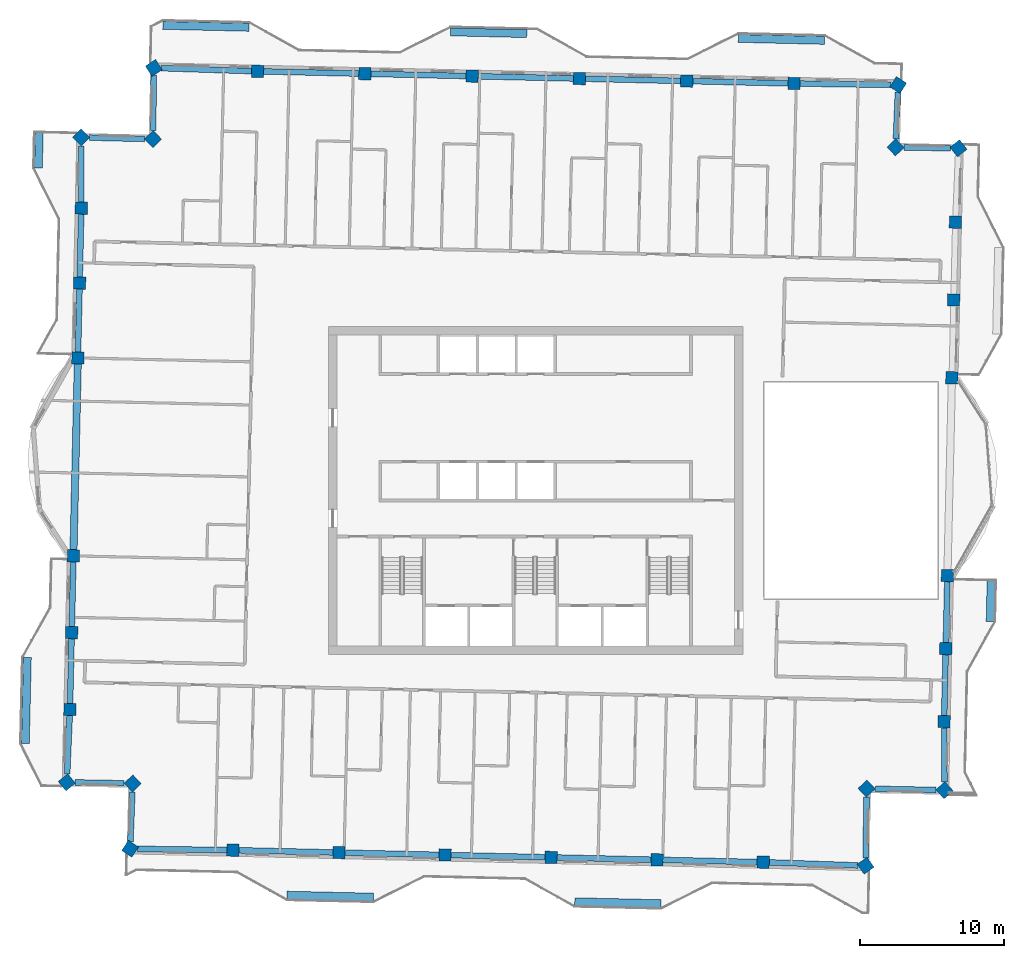
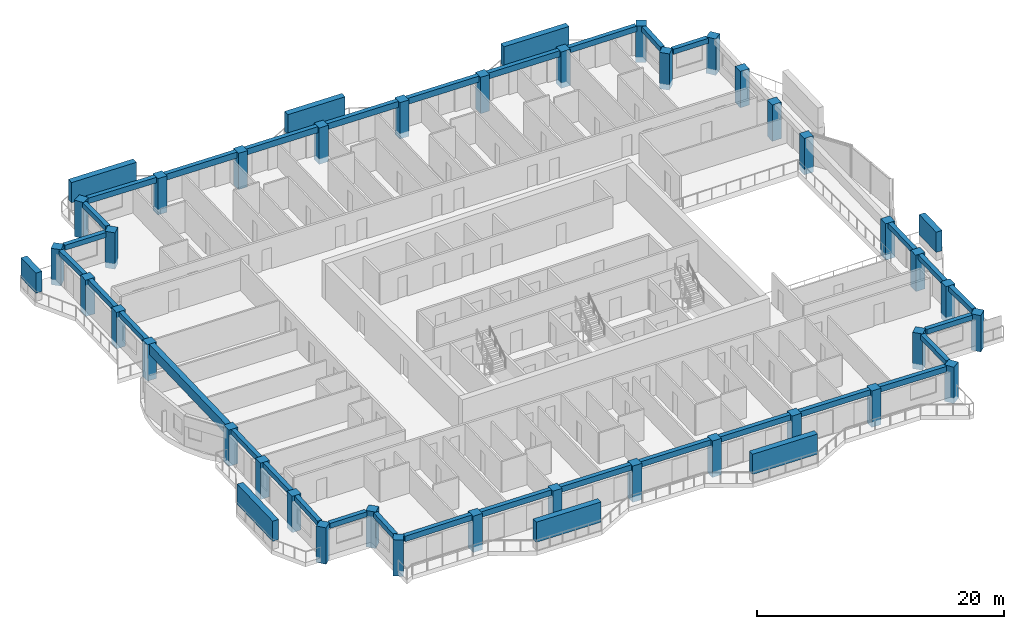
# One storey, part 1 of 15: 36 columns, 32 beams, 8 members.
"""IFC4 building model written with IfcOpenShell, lengths in metres."""

from ifc_helpers import new_model, si_unit, direction, frame, origin, origin_2d, place, context, subcontext, project, spatial, rectangle, extrude, material, material_profile, profile_set, type_object, element, save


model = new_model("IFC4")

# Units and contexts
model_context = context("Model", 3, precision=1e-05, world=origin(), true_north=direction((0.0, 1.0)))
body_context = subcontext(model_context, "Body", "Model", "MODEL_VIEW")
ifc_project = project(units=[si_unit("LENGTHUNIT", "METRE"), si_unit("AREAUNIT", "SQUARE_METRE"), si_unit("VOLUMEUNIT", "CUBIC_METRE"), si_unit("PLANEANGLEUNIT", "RADIAN"), si_unit("MASSUNIT", "GRAM", prefix="KILO")], contexts=[model_context])

# Site, building, storey
site_placement = place(None, origin())
site = spatial("IfcSite", under=ifc_project, at=site_placement, CompositionType="ELEMENT")
building_placement = place(site_placement, origin())
building = spatial("IfcBuilding", under=site, at=building_placement, Name="Mangrove Gate Tower", CompositionType="ELEMENT")
storey_placement = place(building_placement, frame((0.0, 0.0, 320.5)))
storey = spatial("IfcBuildingStorey", under=building, at=storey_placement, Name="L82", CompositionType="ELEMENT", Elevation=320.5)

# Columns
ifc_material_1 = material(Name="Concrete C50/60", Category="concrete")
ifc_material_profile_1 = material_profile(ifc_material_1, rectangle(XDim=0.85009765625, YDim=0.85009765625, at=origin_2d()))
ifc_profile_set_1 = profile_set([ifc_material_profile_1], Name="Concrete C50/60")
column_type = type_object("IfcColumnType", Name="Column RC 850x850 C50/60", PredefinedType="COLUMN", material=ifc_profile_set_1)
for number, where, z_axis, x_axis, name in (
    (1, (-32.123046875, -4.53466796875, -0.550048828125), (0.0, 0.0, 1.0), (-0.022679760793, -0.999742781144, 0.0), "Column L82 W06"),
    (2, (-32.244140625, -9.87451171875, -0.550048828125), (0.0, 0.0, 1.0), (-0.022653360746, -0.999743379696, 0.0), "Column L82 W07"),
    (3, (-32.364990234375, -15.214599609375, -0.550048828125), (0.0, 0.0, 1.0), (-0.022746921185, -0.999741255314, 0.0), "Column L82 W08"),
    (4, (-32.583740234375, -20.275146484375, -0.550048828125), (0.0, 0.0, 1.0), (0.63510539695, -0.772425488164, 0.0), "Column L82 W09"),
    (5, (-28.005615234375, -20.3564453125, -0.550048828125), (0.0, 0.0, 1.0), (0.690863130287, -0.722985570541, 0.0), "Column L82 W10"),
    (6, (-28.183837890625, -24.8935546875, -0.550048828125), (0.0, 0.0, 1.0), (0.836135337265, -0.548523197118, 0.0), "Column L82 S01"),
    (7, (-21.038330078125, -24.9912109375, -0.550048828125), (0.0, 0.0, 1.0), (0.999743338971, -0.022655157973, 0.0), "Column L82 S02"),
    (8, (-13.66845703125, -25.158203125, -0.550048828125), (0.0, 0.0, 1.0), (0.999743338971, -0.022655157973, 0.0), "Column L82 S03"),
    (9, (-6.29931640625, -25.3251953125, -0.550048828125), (0.0, 0.0, 1.0), (0.999743338971, -0.022655157973, 0.0), "Column L82 S04"),
    (10, (1.070556640625, -25.4921875, -0.550048828125), (0.0, 0.0, 1.0), (0.999741800516, -0.02272294656, 0.0), "Column L82 S05"),
    (11, (8.439697265625, -25.66015625, -0.550048828125), (0.0, 0.0, 1.0), (0.999741800516, -0.02272294656, 0.0), "Column L82 S06"),
    (12, (15.8095703125, -25.8271484375, -0.550048828125), (0.0, 0.0, 1.0), (0.999743373766, -0.022653622478, 0.0), "Column L82 S07"),
    (13, (22.9267578125, -26.070556640625, -0.550048828125), (0.0, 0.0, 1.0), (0.81992028728, 0.572477704812, 0.0), "Column L82 S08"),
    (14, (22.998291015625, -20.713623046875, -0.550048828125), (0.0, 0.0, 1.0), (0.722965976266, 0.690883635037, 0.0), "Column L82 E01"),
    (15, (28.406982421875, -20.826904296875, -0.550048828125), (0.0, 0.0, 1.0), (0.744004906603, 0.66817415316, 0.0), "Column L82 E02"),
    (16, (28.381103515625, -16.059326171875, -0.550048828125), (0.0, 0.0, 1.0), (0.022660985877, 0.999743206888, 0.0), "Column L82 E03"),
    (17, (28.49609375, -10.986328125, -0.550048828125), (0.0, 0.0, 1.0), (0.022660985877, 0.999743206888, 0.0), "Column L82 E04"),
    (18, (28.611083984375, -5.912353515625, -0.550048828125), (0.0, 0.0, 1.0), (0.022681592917, 0.99974273958, 0.0), "Column L82 E05"),
    (19, (28.923095703125, 7.834716796875, -0.550048828125), (0.0, 0.0, 1.0), (0.022704799818, 0.999742212805, 0.0), "Column L82 E06"),
    (20, (29.046142578125, 13.24169921875, -0.550048828125), (0.0, 0.0, 1.0), (0.022652104431, 0.999743408163, 0.0), "Column L82 E07"),
    (21, (29.168212890625, 18.647705078125, -0.550048828125), (0.0, 0.0, 1.0), (0.022652104431, 0.999743408163, 0.0), "Column L82 E08"),
    (22, (29.38037109375, 23.784423828125, -0.550048828125), (0.0, 0.0, 1.0), (-0.613294984085, 0.789853950104, 0.0), "Column L82 E09"),
    (23, (25.009765625, 23.851318359375, -0.550048828125), (0.0, 0.0, 1.0), (-0.690854032309, 0.722994264183, 0.0), "Column L82 E10"),
    (24, (25.19287109375, 28.182861328125, -0.550048828125), (0.0, 0.0, 1.0), (-0.849493800932, 0.527598599484, 0.0), "Column L82 N01"),
    (25, (17.952392578125, 28.2880859375, -0.550048828125), (0.0, 0.0, 1.0), (-0.999743149141, 0.022663533403, 0.0), "Column L82 N02"),
    (26, (10.497314453125, 28.45703125, -0.550048828125), (0.0, 0.0, 1.0), (-0.999741662484, 0.022729018737, 0.0), "Column L82 N03"),
    (27, (3.041259765625, 28.627197265625, -0.550048828125), (0.0, 0.0, 1.0), (-0.999741662484, 0.022729018737, 0.0), "Column L82 N04"),
    (28, (-4.41357421875, 28.796142578125, -0.550048828125), (0.0, 0.0, 1.0), (-0.999743149141, 0.022663533403, 0.0), "Column L82 N05"),
    (29, (-11.86865234375, 28.965087890625, -0.550048828125), (0.0, 0.0, 1.0), (-0.999743149141, 0.022663533403, 0.0), "Column L82 N06"),
    (30, (-19.32373046875, 29.134033203125, -0.550048828125), (0.0, 0.0, 1.0), (-0.999743149141, 0.022663533403, 0.0), "Column L82 N07"),
    (31, (-26.54052734375, 29.36962890625, -0.550048828125), (0.0, 0.0, 1.0), (-0.843037190886, -0.537855273082, 0.0), "Column L82 N08"),
    (32, (-26.58935546875, 24.422607421875, -0.550048828125), (0.0, 0.0, 1.0), (-0.723044060513, -0.690801915571, 0.0), "Column L82 W01"),
    (33, (-31.582275390625, 24.541748046875, -0.550048828125), (0.0, 0.0, 1.0), (-0.708697722555, -0.70551225223, 0.0), "Column L82 W02"),
    (34, (-31.5751953125, 19.62646484375, -0.550048828125), (0.0, 0.0, 1.0), (-0.022655978068, -0.999743320387, 0.0), "Column L82 W03"),
    (35, (-31.693115234375, 14.41943359375, -0.550048828125), (0.0, 0.0, 1.0), (-0.022655978068, -0.999743320387, 0.0), "Column L82 W04"),
    (36, (-31.81103515625, 9.21240234375, -0.550048828125), (0.0, 0.0, 1.0), (-0.022680668131, -0.999742760561, 0.0), "Column L82 W05"),
):
    element("IfcColumn", number, at=place(storey_placement, frame(where, z_axis=z_axis, x_axis=x_axis)), inside=storey, type_object=column_type, Name=name, PredefinedType="COLUMN", context=body_context, shape_type="SweptSolid", body=[
        extrude(rectangle(XDim=0.85009765625, YDim=0.85009765625, at=origin_2d()), origin(), (0.0, 0.0, 1.0), 3.60009765625),
    ])

# Members
ifc_material_2 = material(Name="Planting on aluminium trellis", Category="aluminium")
ifc_material_profile_2 = material_profile(ifc_material_2, rectangle(XDim=0.550048828125, YDim=2.0, at=origin_2d()))
ifc_profile_set_2 = profile_set([ifc_material_profile_2], Name="Planting on aluminium trellis")
member_type = type_object("IfcMemberType", Name="Balcony greenery screen 550x2000", PredefinedType="USERDEFINED", material=ifc_profile_set_2)
member_1_placement = place(storey_placement, frame((31.580078125, -9.10595703125, 1.800048828125), z_axis=(0.022590224177, 0.999744808324, 0.0), x_axis=(-0.999744808324, 0.022590224177, 0.0)))
element("IfcMember", 37, at=member_1_placement, inside=storey, type_object=member_type, Name="GREEN SCREEN L82 E0.1", ObjectType="PLANTING", PredefinedType="USERDEFINED", context=body_context, shape_type="SweptSolid", body=[
    extrude(rectangle(XDim=0.550048828125, YDim=2.0, at=origin_2d()), origin(), (0.0, 0.0, 1.0), 2.874755859375),
])
for number, where, z_axis, x_axis, name in (
    (38, (14.080078125, 31.4169921875, 1.800048828125), (0.999743073592, -0.022666865795, 0.0), (0.022666865795, 0.999743073592, 0.0), "GREEN SCREEN L82 N0.1"),
    (39, (-25.909912109375, 32.323974609375, 1.800048828125), (0.999743073592, -0.022666865795, 0.0), (0.022666865795, 0.999743073592, 0.0), "GREEN SCREEN L82 N1.1"),
):
    element("IfcMember", number, at=place(storey_placement, frame(where, z_axis=z_axis, x_axis=x_axis)), inside=storey, type_object=member_type, Name=name, ObjectType="PLANTING", PredefinedType="USERDEFINED", context=body_context, shape_type="SweptSolid", body=[
        extrude(rectangle(XDim=0.550048828125, YDim=2.0, at=origin_2d()), origin(), (0.0, 0.0, 1.0), 5.999267578125),
    ])
member_2_placement = place(storey_placement, frame((-5.9150390625, 31.87109375, 1.800048828125), z_axis=(0.999738901878, -0.022850121899, 0.0), x_axis=(0.022850121899, 0.999738901878, 0.0)))
element("IfcMember", 40, at=member_2_placement, inside=storey, type_object=member_type, Name="GREEN SCREEN L82 N1.2", ObjectType="PLANTING", PredefinedType="USERDEFINED", context=body_context, shape_type="SweptSolid", body=[
    extrude(rectangle(XDim=0.550048828125, YDim=2.0, at=origin_2d()), origin(), (0.0, 0.0, 1.0), 5.299560546875),
])
member_3_placement = place(storey_placement, frame((-34.552978515625, 22.403076171875, 1.800048828125), z_axis=(0.02274801823, 0.999741230352, 0.0), x_axis=(-0.999741230352, 0.02274801823, 0.0)))
element("IfcMember", 41, at=member_3_placement, inside=storey, type_object=member_type, Name="GREEN SCREEN L82 W0.1", ObjectType="PLANTING", PredefinedType="USERDEFINED", context=body_context, shape_type="SweptSolid", body=[
    extrude(rectangle(XDim=0.550048828125, YDim=2.0, at=origin_2d()), origin(), (0.0, 0.0, 1.0), 2.500732421875),
])
member_4_placement = place(storey_placement, frame((-35.4599609375, -17.5859375, 1.800048828125), z_axis=(0.022665943652, 0.999743094499, 0.0), x_axis=(-0.999743094499, 0.022665943652, 0.0)))
element("IfcMember", 42, at=member_4_placement, inside=storey, type_object=member_type, Name="GREEN SCREEN L82 W1.1", ObjectType="PLANTING", PredefinedType="USERDEFINED", context=body_context, shape_type="SweptSolid", body=[
    extrude(rectangle(XDim=0.550048828125, YDim=2.0, at=origin_2d()), origin(), (0.0, 0.0, 1.0), 5.99951171875),
])
for number, where, z_axis, x_axis, name in (
    (43, (-17.280029296875, -28.116943359375, 1.800048828125), (0.999743178102, -0.022662255828, 0.0), (0.022662255828, 0.999743178102, 0.0), "GREEN SCREEN L82 S0.1"),
    (44, (2.715087890625, -28.571044921875, 1.800048828125), (0.999743178102, -0.022662255828, 0.0), (0.022662255828, 0.999743178102, 0.0), "GREEN SCREEN L82 S1.1"),
):
    element("IfcMember", number, at=place(storey_placement, frame(where, z_axis=z_axis, x_axis=x_axis)), inside=storey, type_object=member_type, Name=name, ObjectType="PLANTING", PredefinedType="USERDEFINED", context=body_context, shape_type="SweptSolid", body=[
        extrude(rectangle(XDim=0.550048828125, YDim=2.0, at=origin_2d()), origin(), (0.0, 0.0, 1.0), 6.00048828125),
    ])

# Beams
ifc_material_3 = material(Name="Concrete C50/60", Category="concrete")
ifc_material_profile_3 = material_profile(ifc_material_3, rectangle(XDim=0.39990234375, YDim=0.5, at=origin_2d()))
ifc_profile_set_3 = profile_set([ifc_material_profile_3], Name="Concrete C50/60")
beam_type_1 = type_object("IfcBeamType", Name="Edge beam RC 400x500 C50/60", PredefinedType="BEAM", material=ifc_profile_set_3)
for number, where, z_axis, x_axis, name in (
    (45, (-32.1328125, -4.95947265625, 2.800048828125), (-0.022612746219, -0.999744299163, 0.0), (0.999744299163, -0.022612746219, 0.0), "Edge beam L82 00"),
    (46, (-32.253662109375, -10.299560546875, 2.800048828125), (-0.022667075886, -0.999743068829, 0.0), (0.999743068829, -0.022667075886, 0.0), "Edge beam L82 01"),
):
    element("IfcBeam", number, at=place(storey_placement, frame(where, z_axis=z_axis, x_axis=x_axis)), inside=storey, type_object=beam_type_1, Name=name, PredefinedType="BEAM", context=body_context, shape_type="SweptSolid", body=[
        extrude(rectangle(XDim=0.39990234375, YDim=0.5, at=origin_2d()), origin(), (0.0, 0.0, 1.0), 4.491455078125),
    ])
beam_1_placement = place(storey_placement, frame((-32.383544921875, -15.639404296875, 2.800048828125), z_axis=(-0.04314038949, -0.999069020035, 0.0), x_axis=(0.999069020035, -0.04314038949, 0.0)))
element("IfcBeam", 47, at=beam_1_placement, inside=storey, type_object=beam_type_1, Name="Edge beam L82 02", PredefinedType="BEAM", context=body_context, shape_type="SweptSolid", body=[
    extrude(rectangle(XDim=0.39990234375, YDim=0.5, at=origin_2d()), origin(), (0.0, 0.0, 1.0), 4.069091796875),
])
beam_2_placement = place(storey_placement, frame((-32.025390625, -20.284912109375, 2.800048828125), z_axis=(0.999842209921, -0.017763875153, 0.0), x_axis=(0.017763875153, 0.999842209921, 0.0)))
element("IfcBeam", 48, at=beam_2_placement, inside=storey, type_object=beam_type_1, Name="Edge beam L82 03", PredefinedType="BEAM", context=body_context, shape_type="SweptSolid", body=[
    extrude(rectangle(XDim=0.39990234375, YDim=0.5, at=origin_2d()), origin(), (0.0, 0.0, 1.0), 3.422119140625),
])
beam_3_placement = place(storey_placement, frame((-28.029052734375, -20.947265625, 2.800048828125), z_axis=(-0.039163422827, -0.999232818873, 0.0), x_axis=(0.999232818873, -0.039163422827, 0.0)))
element("IfcBeam", 49, at=beam_3_placement, inside=storey, type_object=beam_type_1, Name="Edge beam L82 04", PredefinedType="BEAM", context=body_context, shape_type="SweptSolid", body=[
    extrude(rectangle(XDim=0.39990234375, YDim=0.5, at=origin_2d()), origin(), (0.0, 0.0, 1.0), 3.45361328125),
])
beam_4_placement = place(storey_placement, frame((22.93359375, -25.54736328125, 2.800048828125), z_axis=(0.013421223227, 0.999909931327, 0.0), x_axis=(-0.999909931327, 0.013421223227, 0.0)))
element("IfcBeam", 50, at=beam_4_placement, inside=storey, type_object=beam_type_1, Name="Edge beam L82 12", PredefinedType="BEAM", context=body_context, shape_type="SweptSolid", body=[
    extrude(rectangle(XDim=0.39990234375, YDim=0.5, at=origin_2d()), origin(), (0.0, 0.0, 1.0), 4.238525390625),
])
beam_5_placement = place(storey_placement, frame((23.59814453125, -20.726318359375, 2.800048828125), z_axis=(0.999781475511, -0.020904574258, 0.0), x_axis=(0.020904574258, 0.999781475511, 0.0)))
element("IfcBeam", 51, at=beam_5_placement, inside=storey, type_object=beam_type_1, Name="Edge beam L82 13", PredefinedType="BEAM", context=body_context, shape_type="SweptSolid", body=[
    extrude(rectangle(XDim=0.39990234375, YDim=0.5, at=origin_2d()), origin(), (0.0, 0.0, 1.0), 4.227783203125),
])
beam_6_placement = place(storey_placement, frame((28.404052734375, -20.25830078125, 2.800048828125), z_axis=(-0.005499043463, 0.999984880146, 0.0), x_axis=(-0.999984880146, -0.005499043463, 0.0)))
element("IfcBeam", 52, at=beam_6_placement, inside=storey, type_object=beam_type_1, Name="Edge beam L82 14", PredefinedType="BEAM", context=body_context, shape_type="SweptSolid", body=[
    extrude(rectangle(XDim=0.39990234375, YDim=0.5, at=origin_2d()), origin(), (0.0, 0.0, 1.0), 3.773681640625),
])
beam_7_placement = place(storey_placement, frame((28.390625, -15.634521484375, 2.800048828125), z_axis=(0.022713528253, 0.999742014539, 0.0), x_axis=(-0.999742014539, 0.022713528253, 0.0)))
element("IfcBeam", 53, at=beam_7_placement, inside=storey, type_object=beam_type_1, Name="Edge beam L82 15", PredefinedType="BEAM", context=body_context, shape_type="SweptSolid", body=[
    extrude(rectangle(XDim=0.39990234375, YDim=0.5, at=origin_2d()), origin(), (0.0, 0.0, 1.0), 4.22412109375),
])
beam_8_placement = place(storey_placement, frame((28.505859375, -10.5615234375, 2.800048828125), z_axis=(0.022649219304, 0.99974347353, 0.0), x_axis=(-0.99974347353, 0.022649219304, 0.0)))
element("IfcBeam", 54, at=beam_8_placement, inside=storey, type_object=beam_type_1, Name="Edge beam L82 16", PredefinedType="BEAM", context=body_context, shape_type="SweptSolid", body=[
    extrude(rectangle(XDim=0.39990234375, YDim=0.5, at=origin_2d()), origin(), (0.0, 0.0, 1.0), 4.225341796875),
])
beam_9_placement = place(storey_placement, frame((28.835693359375, 23.792724609375, 2.800048828125), z_axis=(-0.999882267326, 0.015344428505, 0.0), x_axis=(-0.015344428505, -0.999882267326, 0.0)))
element("IfcBeam", 55, at=beam_9_placement, inside=storey, type_object=beam_type_1, Name="Edge beam L82 21", PredefinedType="BEAM", context=body_context, shape_type="SweptSolid", body=[
    extrude(rectangle(XDim=0.39990234375, YDim=0.5, at=origin_2d()), origin(), (0.0, 0.0, 1.0), 3.22998046875),
])
beam_10_placement = place(storey_placement, frame((25.03466796875, 24.4404296875, 2.800048828125), z_axis=(0.042188460551, 0.999109670555, 0.0), x_axis=(-0.999109670555, 0.042188460551, 0.0)))
element("IfcBeam", 56, at=beam_10_placement, inside=storey, type_object=beam_type_1, Name="Edge beam L82 22", PredefinedType="BEAM", context=body_context, shape_type="SweptSolid", body=[
    extrude(rectangle(XDim=0.39990234375, YDim=0.5, at=origin_2d()), origin(), (0.0, 0.0, 1.0), 3.258056640625),
])
beam_11_placement = place(storey_placement, frame((-26.54541015625, 28.8623046875, 2.800048828125), z_axis=(-0.009901761604, -0.999950976357, 0.0), x_axis=(0.999950976357, -0.009901761604, 0.0)))
element("IfcBeam", 57, at=beam_11_placement, inside=storey, type_object=beam_type_1, Name="Edge beam L82 30", PredefinedType="BEAM", context=body_context, shape_type="SweptSolid", body=[
    extrude(rectangle(XDim=0.39990234375, YDim=0.5, at=origin_2d()), origin(), (0.0, 0.0, 1.0), 3.846435546875),
])
beam_12_placement = place(storey_placement, frame((-27.189697265625, 24.43701171875, 2.800048828125), z_axis=(-0.999715144974, 0.02386689988, 0.0), x_axis=(-0.02386689988, -0.999715144974, 0.0)))
element("IfcBeam", 58, at=beam_12_placement, inside=storey, type_object=beam_type_1, Name="Edge beam L82 31", PredefinedType="BEAM", context=body_context, shape_type="SweptSolid", body=[
    extrude(rectangle(XDim=0.39990234375, YDim=0.5, at=origin_2d()), origin(), (0.0, 0.0, 1.0), 3.80517578125),
])
beam_13_placement = place(storey_placement, frame((-31.581298828125, 23.94287109375, 2.800048828125), z_axis=(0.001442999941, -0.999998958875, 0.0), x_axis=(0.999998958875, 0.001442999941, 0.0)))
element("IfcBeam", 59, at=beam_13_placement, inside=storey, type_object=beam_type_1, Name="Edge beam L82 32", PredefinedType="BEAM", context=body_context, shape_type="SweptSolid", body=[
    extrude(rectangle(XDim=0.39990234375, YDim=0.5, at=origin_2d()), origin(), (0.0, 0.0, 1.0), 3.891357421875),
])
for number, where, z_axis, x_axis, name in (
    (60, (-31.584716796875, 19.201416015625, 2.800048828125), (-0.02268704877, -0.999742615786, 0.0), (0.999742615786, -0.02268704877, 0.0), "Edge beam L82 33"),
    (61, (-31.70263671875, 13.994384765625, 2.800048828125), (-0.02268704877, -0.999742615786, 0.0), (0.999742615786, -0.02268704877, 0.0), "Edge beam L82 34"),
):
    element("IfcBeam", number, at=place(storey_placement, frame(where, z_axis=z_axis, x_axis=x_axis)), inside=storey, type_object=beam_type_1, Name=name, PredefinedType="BEAM", context=body_context, shape_type="SweptSolid", body=[
        extrude(rectangle(XDim=0.39990234375, YDim=0.5, at=origin_2d()), origin(), (0.0, 0.0, 1.0), 4.3583984375),
    ])
ifc_material_4 = material(Name="Concrete C50/60", Category="concrete")
ifc_material_profile_4 = material_profile(ifc_material_4, rectangle(XDim=0.39990234375, YDim=0.550048828125, at=origin_2d()))
ifc_profile_set_4 = profile_set([ifc_material_profile_4], Name="Concrete C50/60")
beam_type_2 = type_object("IfcBeamType", Name="Edge beam RC 400x550 C50/60", PredefinedType="BEAM", material=ifc_profile_set_4)
beam_14_placement = place(storey_placement, frame((-27.68017578125, -24.900634765625, 2.77490234375), z_axis=(0.999907164256, -0.01362581629, 0.0), x_axis=(0.01362581629, 0.999907164256, 0.0)))
element("IfcBeam", 62, at=beam_14_placement, inside=storey, type_object=beam_type_2, Name="Edge beam L82 05", PredefinedType="BEAM", context=body_context, shape_type="SweptSolid", body=[
    extrude(rectangle(XDim=0.39990234375, YDim=0.550048828125, at=origin_2d()), origin(), (0.0, 0.0, 1.0), 6.21728515625),
])
beam_15_placement = place(storey_placement, frame((-20.613525390625, -25.000732421875, 2.77490234375), z_axis=(0.999743514138, -0.022647426744, 0.0), x_axis=(0.022647426744, 0.999743514138, 0.0)))
element("IfcBeam", 63, at=beam_15_placement, inside=storey, type_object=beam_type_2, Name="Edge beam L82 06", PredefinedType="BEAM", context=body_context, shape_type="SweptSolid", body=[
    extrude(rectangle(XDim=0.39990234375, YDim=0.550048828125, at=origin_2d()), origin(), (0.0, 0.0, 1.0), 6.52197265625),
])
beam_16_placement = place(storey_placement, frame((-13.243408203125, -25.167724609375, 2.77490234375), z_axis=(0.999743418111, -0.022651665342, 0.0), x_axis=(0.022651665342, 0.999743418111, 0.0)))
element("IfcBeam", 64, at=beam_16_placement, inside=storey, type_object=beam_type_2, Name="Edge beam L82 07", PredefinedType="BEAM", context=body_context, shape_type="SweptSolid", body=[
    extrude(rectangle(XDim=0.39990234375, YDim=0.550048828125, at=origin_2d()), origin(), (0.0, 0.0, 1.0), 6.520751953125),
])
beam_17_placement = place(storey_placement, frame((-5.87451171875, -25.334716796875, 2.77490234375), z_axis=(0.999743514138, -0.022647426744, 0.0), x_axis=(0.022647426744, 0.999743514138, 0.0)))
element("IfcBeam", 65, at=beam_17_placement, inside=storey, type_object=beam_type_2, Name="Edge beam L82 08", PredefinedType="BEAM", context=body_context, shape_type="SweptSolid", body=[
    extrude(rectangle(XDim=0.39990234375, YDim=0.550048828125, at=origin_2d()), origin(), (0.0, 0.0, 1.0), 6.52197265625),
])
beam_18_placement = place(storey_placement, frame((1.49560546875, -25.501708984375, 2.77490234375), z_axis=(0.999740015405, -0.022801350812, 0.0), x_axis=(0.022801350812, 0.999740015405, 0.0)))
element("IfcBeam", 66, at=beam_18_placement, inside=storey, type_object=beam_type_2, Name="Edge beam L82 09", PredefinedType="BEAM", context=body_context, shape_type="SweptSolid", body=[
    extrude(rectangle(XDim=0.39990234375, YDim=0.550048828125, at=origin_2d()), origin(), (0.0, 0.0, 1.0), 6.520751953125),
])
beam_19_placement = place(storey_placement, frame((8.864501953125, -25.669677734375, 2.77490234375), z_axis=(0.999743514138, -0.022647426744, 0.0), x_axis=(0.022647426744, 0.999743514138, 0.0)))
element("IfcBeam", 67, at=beam_19_placement, inside=storey, type_object=beam_type_2, Name="Edge beam L82 10", PredefinedType="BEAM", context=body_context, shape_type="SweptSolid", body=[
    extrude(rectangle(XDim=0.39990234375, YDim=0.550048828125, at=origin_2d()), origin(), (0.0, 0.0, 1.0), 6.52197265625),
])
beam_20_placement = place(storey_placement, frame((16.234375, -25.841552734375, 2.77490234375), z_axis=(0.999414481701, -0.034215402472, 0.0), x_axis=(0.034215402472, 0.999414481701, 0.0)))
element("IfcBeam", 68, at=beam_20_placement, inside=storey, type_object=beam_type_2, Name="Edge beam L82 11", PredefinedType="BEAM", context=body_context, shape_type="SweptSolid", body=[
    extrude(rectangle(XDim=0.39990234375, YDim=0.550048828125, at=origin_2d()), origin(), (0.0, 0.0, 1.0), 6.1650390625),
])
beam_21_placement = place(storey_placement, frame((24.697021484375, 28.190185546875, 2.77490234375), z_axis=(-0.999894517446, 0.014524254918, 0.0), x_axis=(-0.014524254918, -0.999894517446, 0.0)))
element("IfcBeam", 69, at=beam_21_placement, inside=storey, type_object=beam_type_2, Name="Edge beam L82 23", PredefinedType="BEAM", context=body_context, shape_type="SweptSolid", body=[
    extrude(rectangle(XDim=0.39990234375, YDim=0.550048828125, at=origin_2d()), origin(), (0.0, 0.0, 1.0), 6.3203125),
])
beam_22_placement = place(storey_placement, frame((-19.74853515625, 29.14794921875, 2.77490234375), z_axis=(-0.999468002837, 0.032614587312, 0.0), x_axis=(-0.032614587312, -0.999468002837, 0.0)))
element("IfcBeam", 70, at=beam_22_placement, inside=storey, type_object=beam_type_2, Name="Edge beam L82 29", PredefinedType="BEAM", context=body_context, shape_type="SweptSolid", body=[
    extrude(rectangle(XDim=0.39990234375, YDim=0.550048828125, at=origin_2d()), origin(), (0.0, 0.0, 1.0), 6.280517578125),
])
ifc_material_5 = material(Name="Concrete C50/60", Category="concrete")
ifc_material_profile_5 = material_profile(ifc_material_5, rectangle(XDim=0.39990234375, YDim=0.60009765625, at=origin_2d()))
ifc_profile_set_5 = profile_set([ifc_material_profile_5], Name="Concrete C50/60")
beam_type_3 = type_object("IfcBeamType", Name="Edge beam RC 400x600 C50/60", PredefinedType="BEAM", material=ifc_profile_set_5)
beam_23_placement = place(storey_placement, frame((17.527587890625, 28.2978515625, 2.75), z_axis=(-0.999743435472, 0.022650899096, 0.0), x_axis=(-0.022650899096, -0.999743435472, 0.0)))
element("IfcBeam", 71, at=beam_23_placement, inside=storey, type_object=beam_type_3, Name="Edge beam L82 24", PredefinedType="BEAM", context=body_context, shape_type="SweptSolid", body=[
    extrude(rectangle(XDim=0.39990234375, YDim=0.60009765625, at=origin_2d()), origin(), (0.0, 0.0, 1.0), 6.607177734375),
])
beam_24_placement = place(storey_placement, frame((10.072509765625, 28.466796875, 2.75), z_axis=(-0.999740135153, 0.022796099759, 0.0), x_axis=(-0.022796099759, -0.999740135153, 0.0)))
element("IfcBeam", 72, at=beam_24_placement, inside=storey, type_object=beam_type_3, Name="Edge beam L82 25", PredefinedType="BEAM", context=body_context, shape_type="SweptSolid", body=[
    extrude(rectangle(XDim=0.39990234375, YDim=0.60009765625, at=origin_2d()), origin(), (0.0, 0.0, 1.0), 6.60791015625),
])
for number, where, z_axis, x_axis, name in (
    (73, (2.616455078125, 28.63671875, 2.75), (-0.999743416513, 0.022651735883, 0.0), (-0.022651735883, -0.999743416513, 0.0), "Edge beam L82 26"),
    (74, (-4.838623046875, 28.8056640625, 2.75), (-0.999742579014, 0.022688669137, 0.0), (-0.022688669137, -0.999742579014, 0.0), "Edge beam L82 27"),
    (75, (-12.29345703125, 28.974853515625, 2.75), (-0.999743416513, 0.022651735883, 0.0), (-0.022651735883, -0.999743416513, 0.0), "Edge beam L82 28"),
):
    element("IfcBeam", number, at=place(storey_placement, frame(where, z_axis=z_axis, x_axis=x_axis)), inside=storey, type_object=beam_type_3, Name=name, PredefinedType="BEAM", context=body_context, shape_type="SweptSolid", body=[
        extrude(rectangle(XDim=0.39990234375, YDim=0.60009765625, at=origin_2d()), origin(), (0.0, 0.0, 1.0), 6.60693359375),
    ])
ifc_material_6 = material(Name="Concrete C50/60", Category="concrete")
ifc_material_profile_6 = material_profile(ifc_material_6, rectangle(XDim=0.5, YDim=1.0, at=origin_2d()))
ifc_profile_set_6 = profile_set([ifc_material_profile_6], Name="Concrete C50/60")
beam_type_4 = type_object("IfcBeamType", Name="Edge beam RC 500x1000 C50/60", PredefinedType="BEAM", material=ifc_profile_set_6)
beam_25_placement = place(storey_placement, frame((-31.82080078125, 8.787353515625, 2.550048828125), z_axis=(-0.022690883298, -0.999742528762, 0.0), x_axis=(0.999742528762, -0.022690883298, 0.0)))
element("IfcBeam", 76, at=beam_25_placement, inside=storey, type_object=beam_type_4, Name="Edge beam L82 35", PredefinedType="BEAM", context=body_context, shape_type="SweptSolid", body=[
    extrude(rectangle(XDim=0.5, YDim=1.0, at=origin_2d()), origin(), (0.0, 0.0, 1.0), 12.900634765625),
])

save(model, "model.ifc")
